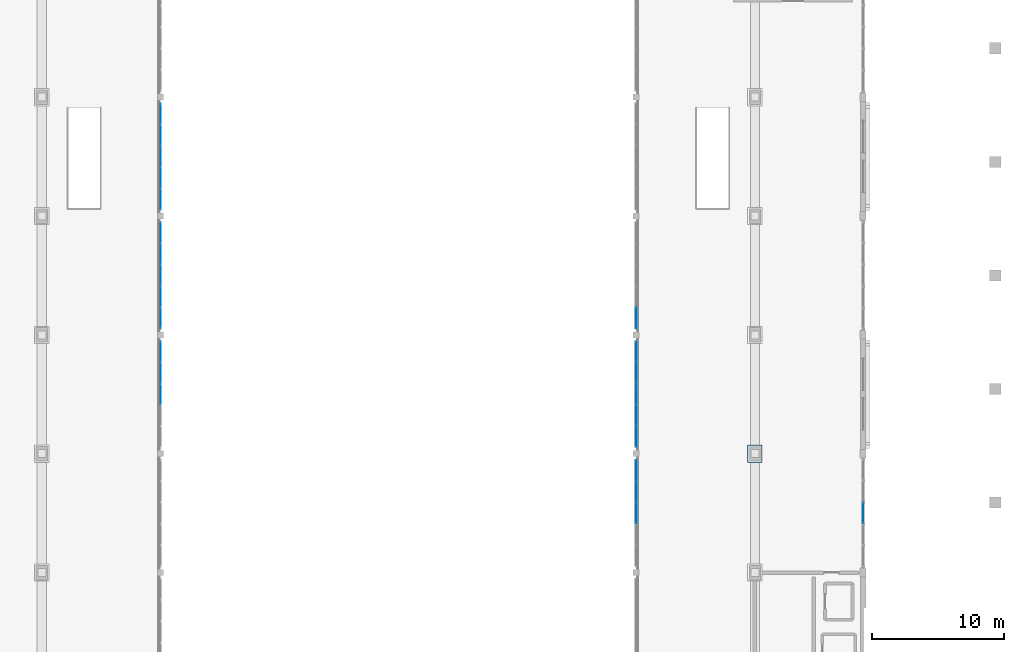
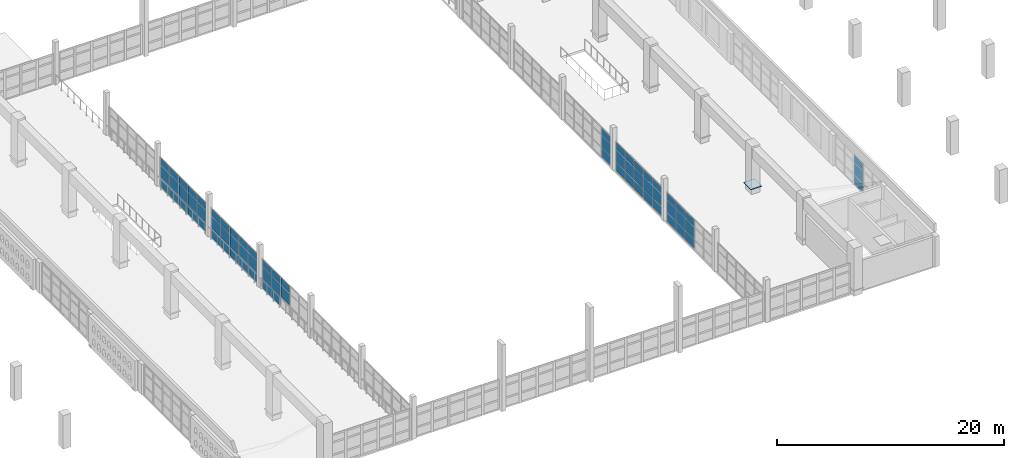
# One storey, part 58 of 80: 69 plates, 7 elements without a shape of their own.
"""IFC4 building model written with IfcOpenShell, lengths in metres."""

from ifc_helpers import new_model, si_unit, direction, frame, origin, origin_2d, place, context, subcontext, project, spatial, rectangle, extrude, material, layer, layer_set, type_object, element, aggregate, save


model = new_model("IFC4")

# Units and contexts
model_context = context("Model", 3, precision=1e-05, world=origin(), true_north=direction((0.0, 1.0)))
body_context = subcontext(model_context, "Body", "Model", "MODEL_VIEW")
ifc_project = project(units=[si_unit("LENGTHUNIT", "METRE"), si_unit("AREAUNIT", "SQUARE_METRE"), si_unit("VOLUMEUNIT", "CUBIC_METRE"), si_unit("PLANEANGLEUNIT", "RADIAN"), si_unit("MASSUNIT", "GRAM", prefix="KILO")], contexts=[model_context])

# Site, building, storey
site_placement = place(None, origin())
site = spatial("IfcSite", under=ifc_project, at=site_placement, CompositionType="ELEMENT")
building_placement = place(site_placement, origin())
building = spatial("IfcBuilding", under=site, at=building_placement, Name="Ornek Quay Market", CompositionType="ELEMENT")
storey_placement = place(building_placement, frame((0.0, 0.0, 8.39990234375)))
storey = spatial("IfcBuildingStorey", under=building, at=storey_placement, Name="L02", CompositionType="ELEMENT", Elevation=8.39990234375)

# Plate
ifc_material_1 = material(Name="Steel S355", Category="steel")
ifc_layer_1 = layer(ifc_material_1, 1.300048828125, Name="Steel S355", Category="steel")
ifc_layer_set_1 = layer_set([ifc_layer_1], Name="Steel S355")
plate_type_1 = type_object("IfcPlateType", Name="PL-ARCH-SHOE-1100x1300x50", PredefinedType="SHEET", material=ifc_layer_set_1)
plate_1_placement = place(storey_placement, frame((117.0, 47.0, 0.60009765625), z_axis=(0.0, 0.0, 1.0), x_axis=(1.0, 0.0, 0.0)))
element("IfcPlate", 1, at=plate_1_placement, inside=storey, type_object=plate_type_1, Name="Arch bearing plate Grid F-E", PredefinedType="SHEET", context=body_context, shape_type="SweptSolid", body=[
    extrude(rectangle(XDim=1.10009765625, YDim=1.300048828125, at=origin_2d()), origin(), (0.0, 0.0, 1.0), 0.050048828125),
])

# Curtain wall, plates
ifc_material_2 = material(Name="Anodised bronze aluminium and triple low-e glass", Category="aluminium")
ifc_layer_2 = layer(ifc_material_2, 0.139892578125, Name="Anodised bronze aluminium and triple low-e glass", Category="aluminium")
ifc_layer_set_2 = layer_set([ifc_layer_2], Name="Anodised bronze aluminium and triple low-e glass")
curtain_wall_type_1 = type_object("IfcCurtainWallType", Name="CW-GALLERY-INT", PredefinedType="USERDEFINED", material=ifc_layer_set_2)
curtain_wall_1_placement = place(storey_placement, origin())
curtain_wall_1 = element("IfcCurtainWall", 2, at=curtain_wall_1_placement, inside=storey, type_object=curtain_wall_type_1, Name="Curtain wall CW-111", ObjectType="CURTAIN WALL", PredefinedType="USERDEFINED")
ifc_material_3 = material(Name="Toughened laminated acoustic glass", Category="glass")
ifc_layer_3 = layer(ifc_material_3, 0.01611328125, Name="Toughened laminated acoustic glass", Category="glass")
ifc_layer_set_3 = layer_set([ifc_layer_3], Name="Toughened laminated acoustic glass")
plate_type_2 = type_object("IfcPlateType", Name="PL-CW-INT-16", PredefinedType="CURTAIN_PANEL", material=ifc_layer_set_3)
plate_2_placement = place(storey_placement, frame((72.0, 51.5, 1.080078125), z_axis=(0.0, 0.0, 1.0), x_axis=(0.0, 1.0, 0.0)))
plate_2 = element("IfcPlate", 3, at=plate_2_placement, type_object=plate_type_2, Name="CW-111 panel 3.2", PredefinedType="CURTAIN_PANEL", context=body_context, shape_type="SweptSolid", body=[
    extrude(rectangle(XDim=1.56005859375, YDim=0.01611328125, at=origin_2d()), origin(), (0.0, 0.0, 1.0), 1.2900390625),
])
plate_3_placement = place(storey_placement, frame((72.0, 51.5, 2.43017578125), z_axis=(0.0, 0.0, 1.0), x_axis=(0.0, 1.0, 0.0)))
plate_3 = element("IfcPlate", 4, at=plate_3_placement, type_object=plate_type_2, Name="CW-111 panel 3.3", PredefinedType="CURTAIN_PANEL", context=body_context, shape_type="SweptSolid", body=[
    extrude(rectangle(XDim=1.56005859375, YDim=0.01611328125, at=origin_2d()), origin(), (0.0, 0.0, 1.0), 0.760009765625),
])
plate_4_placement = place(storey_placement, frame((72.0, 53.1201171875, 0.06005859375), z_axis=(0.0, 0.0, 1.0), x_axis=(0.0, 1.0, 0.0)))
plate_4 = element("IfcPlate", 5, at=plate_4_placement, type_object=plate_type_2, Name="CW-111 panel 4.1", PredefinedType="CURTAIN_PANEL", context=body_context, shape_type="SweptSolid", body=[
    extrude(rectangle(XDim=1.56005859375, YDim=0.01611328125, at=origin_2d()), origin(), (0.0, 0.0, 1.0), 0.9599609375),
])
plate_5_placement = place(storey_placement, frame((72.0, 53.1201171875, 1.080078125), z_axis=(0.0, 0.0, 1.0), x_axis=(0.0, 1.0, 0.0)))
plate_5 = element("IfcPlate", 6, at=plate_5_placement, type_object=plate_type_2, Name="CW-111 panel 4.2", PredefinedType="CURTAIN_PANEL", context=body_context, shape_type="SweptSolid", body=[
    extrude(rectangle(XDim=1.56005859375, YDim=0.01611328125, at=origin_2d()), origin(), (0.0, 0.0, 1.0), 1.2900390625),
])
plate_6_placement = place(storey_placement, frame((72.0, 53.1201171875, 2.43017578125), z_axis=(0.0, 0.0, 1.0), x_axis=(0.0, 1.0, 0.0)))
plate_6 = element("IfcPlate", 7, at=plate_6_placement, type_object=plate_type_2, Name="CW-111 panel 4.3", PredefinedType="CURTAIN_PANEL", context=body_context, shape_type="SweptSolid", body=[
    extrude(rectangle(XDim=1.56005859375, YDim=0.01611328125, at=origin_2d()), origin(), (0.0, 0.0, 1.0), 0.760009765625),
])
plate_7_placement = place(storey_placement, frame((72.0, 54.72509765625, 0.06005859375), z_axis=(0.0, 0.0, 1.0), x_axis=(0.0, 1.0, 0.0)))
plate_7 = element("IfcPlate", 8, at=plate_7_placement, type_object=plate_type_2, Name="CW-111 panel 5.1", PredefinedType="CURTAIN_PANEL", context=body_context, shape_type="SweptSolid", body=[
    extrude(rectangle(XDim=1.530029296875, YDim=0.01611328125, at=origin_2d()), origin(), (0.0, 0.0, 1.0), 0.9599609375),
])
plate_8_placement = place(storey_placement, frame((72.0, 54.72509765625, 1.080078125), z_axis=(0.0, 0.0, 1.0), x_axis=(0.0, 1.0, 0.0)))
plate_8 = element("IfcPlate", 9, at=plate_8_placement, type_object=plate_type_2, Name="CW-111 panel 5.2", PredefinedType="CURTAIN_PANEL", context=body_context, shape_type="SweptSolid", body=[
    extrude(rectangle(XDim=1.530029296875, YDim=0.01611328125, at=origin_2d()), origin(), (0.0, 0.0, 1.0), 1.2900390625),
])
plate_9_placement = place(storey_placement, frame((72.0, 54.72509765625, 2.43017578125), z_axis=(0.0, 0.0, 1.0), x_axis=(0.0, 1.0, 0.0)))
plate_9 = element("IfcPlate", 10, at=plate_9_placement, type_object=plate_type_2, Name="CW-111 panel 5.3", PredefinedType="CURTAIN_PANEL", context=body_context, shape_type="SweptSolid", body=[
    extrude(rectangle(XDim=1.530029296875, YDim=0.01611328125, at=origin_2d()), origin(), (0.0, 0.0, 1.0), 0.760009765625),
])
aggregate(curtain_wall_1, [plate_2, plate_3, plate_4, plate_5, plate_6, plate_7, plate_8, plate_9])

curtain_wall_2_placement = place(storey_placement, origin())
curtain_wall_2 = element("IfcCurtainWall", 11, at=curtain_wall_2_placement, inside=storey, type_object=curtain_wall_type_1, Name="Curtain wall CW-112", ObjectType="CURTAIN WALL", PredefinedType="USERDEFINED")
plate_10_placement = place(storey_placement, frame((72.0, 57.27490234375, 0.06005859375), z_axis=(0.0, 0.0, 1.0), x_axis=(0.0, 1.0, 0.0)))
plate_10 = element("IfcPlate", 12, at=plate_10_placement, type_object=plate_type_2, Name="CW-112 panel 1.1", PredefinedType="CURTAIN_PANEL", context=body_context, shape_type="SweptSolid", body=[
    extrude(rectangle(XDim=1.530029296875, YDim=0.01611328125, at=origin_2d()), origin(), (0.0, 0.0, 1.0), 0.9599609375),
])
plate_11_placement = place(storey_placement, frame((72.0, 57.27490234375, 1.080078125), z_axis=(0.0, 0.0, 1.0), x_axis=(0.0, 1.0, 0.0)))
plate_11 = element("IfcPlate", 13, at=plate_11_placement, type_object=plate_type_2, Name="CW-112 panel 1.2", PredefinedType="CURTAIN_PANEL", context=body_context, shape_type="SweptSolid", body=[
    extrude(rectangle(XDim=1.530029296875, YDim=0.01611328125, at=origin_2d()), origin(), (0.0, 0.0, 1.0), 1.2900390625),
])
plate_12_placement = place(storey_placement, frame((72.0, 57.27490234375, 2.43017578125), z_axis=(0.0, 0.0, 1.0), x_axis=(0.0, 1.0, 0.0)))
plate_12 = element("IfcPlate", 14, at=plate_12_placement, type_object=plate_type_2, Name="CW-112 panel 1.3", PredefinedType="CURTAIN_PANEL", context=body_context, shape_type="SweptSolid", body=[
    extrude(rectangle(XDim=1.530029296875, YDim=0.01611328125, at=origin_2d()), origin(), (0.0, 0.0, 1.0), 0.760009765625),
])
plate_13_placement = place(storey_placement, frame((72.0, 58.8798828125, 0.06005859375), z_axis=(0.0, 0.0, 1.0), x_axis=(0.0, 1.0, 0.0)))
plate_13 = element("IfcPlate", 15, at=plate_13_placement, type_object=plate_type_2, Name="CW-112 panel 2.1", PredefinedType="CURTAIN_PANEL", context=body_context, shape_type="SweptSolid", body=[
    extrude(rectangle(XDim=1.56005859375, YDim=0.01611328125, at=origin_2d()), origin(), (0.0, 0.0, 1.0), 0.9599609375),
])
plate_14_placement = place(storey_placement, frame((72.0, 58.8798828125, 1.080078125), z_axis=(0.0, 0.0, 1.0), x_axis=(0.0, 1.0, 0.0)))
plate_14 = element("IfcPlate", 16, at=plate_14_placement, type_object=plate_type_2, Name="CW-112 panel 2.2", PredefinedType="CURTAIN_PANEL", context=body_context, shape_type="SweptSolid", body=[
    extrude(rectangle(XDim=1.56005859375, YDim=0.01611328125, at=origin_2d()), origin(), (0.0, 0.0, 1.0), 1.2900390625),
])
plate_15_placement = place(storey_placement, frame((72.0, 58.8798828125, 2.43017578125), z_axis=(0.0, 0.0, 1.0), x_axis=(0.0, 1.0, 0.0)))
plate_15 = element("IfcPlate", 17, at=plate_15_placement, type_object=plate_type_2, Name="CW-112 panel 2.3", PredefinedType="CURTAIN_PANEL", context=body_context, shape_type="SweptSolid", body=[
    extrude(rectangle(XDim=1.56005859375, YDim=0.01611328125, at=origin_2d()), origin(), (0.0, 0.0, 1.0), 0.760009765625),
])
plate_16_placement = place(storey_placement, frame((72.0, 60.5, 0.06005859375), z_axis=(0.0, 0.0, 1.0), x_axis=(0.0, 1.0, 0.0)))
plate_16 = element("IfcPlate", 18, at=plate_16_placement, type_object=plate_type_2, Name="CW-112 panel 3.1", PredefinedType="CURTAIN_PANEL", context=body_context, shape_type="SweptSolid", body=[
    extrude(rectangle(XDim=1.56005859375, YDim=0.01611328125, at=origin_2d()), origin(), (0.0, 0.0, 1.0), 0.9599609375),
])
plate_17_placement = place(storey_placement, frame((72.0, 60.5, 1.080078125), z_axis=(0.0, 0.0, 1.0), x_axis=(0.0, 1.0, 0.0)))
plate_17 = element("IfcPlate", 19, at=plate_17_placement, type_object=plate_type_2, Name="CW-112 panel 3.2", PredefinedType="CURTAIN_PANEL", context=body_context, shape_type="SweptSolid", body=[
    extrude(rectangle(XDim=1.56005859375, YDim=0.01611328125, at=origin_2d()), origin(), (0.0, 0.0, 1.0), 1.2900390625),
])
plate_18_placement = place(storey_placement, frame((72.0, 60.5, 2.43017578125), z_axis=(0.0, 0.0, 1.0), x_axis=(0.0, 1.0, 0.0)))
plate_18 = element("IfcPlate", 20, at=plate_18_placement, type_object=plate_type_2, Name="CW-112 panel 3.3", PredefinedType="CURTAIN_PANEL", context=body_context, shape_type="SweptSolid", body=[
    extrude(rectangle(XDim=1.56005859375, YDim=0.01611328125, at=origin_2d()), origin(), (0.0, 0.0, 1.0), 0.760009765625),
])
plate_19_placement = place(storey_placement, frame((72.0, 62.1201171875, 0.06005859375), z_axis=(0.0, 0.0, 1.0), x_axis=(0.0, 1.0, 0.0)))
plate_19 = element("IfcPlate", 21, at=plate_19_placement, type_object=plate_type_2, Name="CW-112 panel 4.1", PredefinedType="CURTAIN_PANEL", context=body_context, shape_type="SweptSolid", body=[
    extrude(rectangle(XDim=1.56005859375, YDim=0.01611328125, at=origin_2d()), origin(), (0.0, 0.0, 1.0), 0.9599609375),
])
plate_20_placement = place(storey_placement, frame((72.0, 62.1201171875, 1.080078125), z_axis=(0.0, 0.0, 1.0), x_axis=(0.0, 1.0, 0.0)))
plate_20 = element("IfcPlate", 22, at=plate_20_placement, type_object=plate_type_2, Name="CW-112 panel 4.2", PredefinedType="CURTAIN_PANEL", context=body_context, shape_type="SweptSolid", body=[
    extrude(rectangle(XDim=1.56005859375, YDim=0.01611328125, at=origin_2d()), origin(), (0.0, 0.0, 1.0), 1.2900390625),
])
plate_21_placement = place(storey_placement, frame((72.0, 62.1201171875, 2.43017578125), z_axis=(0.0, 0.0, 1.0), x_axis=(0.0, 1.0, 0.0)))
plate_21 = element("IfcPlate", 23, at=plate_21_placement, type_object=plate_type_2, Name="CW-112 panel 4.3", PredefinedType="CURTAIN_PANEL", context=body_context, shape_type="SweptSolid", body=[
    extrude(rectangle(XDim=1.56005859375, YDim=0.01611328125, at=origin_2d()), origin(), (0.0, 0.0, 1.0), 0.760009765625),
])
plate_22_placement = place(storey_placement, frame((72.0, 63.72509765625, 0.06005859375), z_axis=(0.0, 0.0, 1.0), x_axis=(0.0, 1.0, 0.0)))
plate_22 = element("IfcPlate", 24, at=plate_22_placement, type_object=plate_type_2, Name="CW-112 panel 5.1", PredefinedType="CURTAIN_PANEL", context=body_context, shape_type="SweptSolid", body=[
    extrude(rectangle(XDim=1.530029296875, YDim=0.01611328125, at=origin_2d()), origin(), (0.0, 0.0, 1.0), 0.9599609375),
])
plate_23_placement = place(storey_placement, frame((72.0, 63.72509765625, 1.080078125), z_axis=(0.0, 0.0, 1.0), x_axis=(0.0, 1.0, 0.0)))
plate_23 = element("IfcPlate", 25, at=plate_23_placement, type_object=plate_type_2, Name="CW-112 panel 5.2", PredefinedType="CURTAIN_PANEL", context=body_context, shape_type="SweptSolid", body=[
    extrude(rectangle(XDim=1.530029296875, YDim=0.01611328125, at=origin_2d()), origin(), (0.0, 0.0, 1.0), 1.2900390625),
])
plate_24_placement = place(storey_placement, frame((72.0, 63.72509765625, 2.43017578125), z_axis=(0.0, 0.0, 1.0), x_axis=(0.0, 1.0, 0.0)))
plate_24 = element("IfcPlate", 26, at=plate_24_placement, type_object=plate_type_2, Name="CW-112 panel 5.3", PredefinedType="CURTAIN_PANEL", context=body_context, shape_type="SweptSolid", body=[
    extrude(rectangle(XDim=1.530029296875, YDim=0.01611328125, at=origin_2d()), origin(), (0.0, 0.0, 1.0), 0.760009765625),
])
aggregate(curtain_wall_2, [plate_10, plate_11, plate_12, plate_13, plate_14, plate_15, plate_16, plate_17, plate_18, plate_19, plate_20, plate_21, plate_22, plate_23, plate_24])

curtain_wall_3_placement = place(storey_placement, origin())
curtain_wall_3 = element("IfcCurtainWall", 27, at=curtain_wall_3_placement, inside=storey, type_object=curtain_wall_type_1, Name="Curtain wall CW-113", ObjectType="CURTAIN WALL", PredefinedType="USERDEFINED")
plate_25_placement = place(storey_placement, frame((72.0, 66.27490234375, 0.06005859375), z_axis=(0.0, 0.0, 1.0), x_axis=(0.0, 1.0, 0.0)))
plate_25 = element("IfcPlate", 28, at=plate_25_placement, type_object=plate_type_2, Name="CW-113 panel 1.1", PredefinedType="CURTAIN_PANEL", context=body_context, shape_type="SweptSolid", body=[
    extrude(rectangle(XDim=1.530029296875, YDim=0.01611328125, at=origin_2d()), origin(), (0.0, 0.0, 1.0), 0.9599609375),
])
plate_26_placement = place(storey_placement, frame((72.0, 66.27490234375, 1.080078125), z_axis=(0.0, 0.0, 1.0), x_axis=(0.0, 1.0, 0.0)))
plate_26 = element("IfcPlate", 29, at=plate_26_placement, type_object=plate_type_2, Name="CW-113 panel 1.2", PredefinedType="CURTAIN_PANEL", context=body_context, shape_type="SweptSolid", body=[
    extrude(rectangle(XDim=1.530029296875, YDim=0.01611328125, at=origin_2d()), origin(), (0.0, 0.0, 1.0), 1.2900390625),
])
plate_27_placement = place(storey_placement, frame((72.0, 66.27490234375, 2.43017578125), z_axis=(0.0, 0.0, 1.0), x_axis=(0.0, 1.0, 0.0)))
plate_27 = element("IfcPlate", 30, at=plate_27_placement, type_object=plate_type_2, Name="CW-113 panel 1.3", PredefinedType="CURTAIN_PANEL", context=body_context, shape_type="SweptSolid", body=[
    extrude(rectangle(XDim=1.530029296875, YDim=0.01611328125, at=origin_2d()), origin(), (0.0, 0.0, 1.0), 0.760009765625),
])
plate_28_placement = place(storey_placement, frame((72.0, 67.8798828125, 0.06005859375), z_axis=(0.0, 0.0, 1.0), x_axis=(0.0, 1.0, 0.0)))
plate_28 = element("IfcPlate", 31, at=plate_28_placement, type_object=plate_type_2, Name="CW-113 panel 2.1", PredefinedType="CURTAIN_PANEL", context=body_context, shape_type="SweptSolid", body=[
    extrude(rectangle(XDim=1.56005859375, YDim=0.01611328125, at=origin_2d()), origin(), (0.0, 0.0, 1.0), 0.9599609375),
])
plate_29_placement = place(storey_placement, frame((72.0, 67.8798828125, 1.080078125), z_axis=(0.0, 0.0, 1.0), x_axis=(0.0, 1.0, 0.0)))
plate_29 = element("IfcPlate", 32, at=plate_29_placement, type_object=plate_type_2, Name="CW-113 panel 2.2", PredefinedType="CURTAIN_PANEL", context=body_context, shape_type="SweptSolid", body=[
    extrude(rectangle(XDim=1.56005859375, YDim=0.01611328125, at=origin_2d()), origin(), (0.0, 0.0, 1.0), 1.2900390625),
])
plate_30_placement = place(storey_placement, frame((72.0, 67.8798828125, 2.43017578125), z_axis=(0.0, 0.0, 1.0), x_axis=(0.0, 1.0, 0.0)))
plate_30 = element("IfcPlate", 33, at=plate_30_placement, type_object=plate_type_2, Name="CW-113 panel 2.3", PredefinedType="CURTAIN_PANEL", context=body_context, shape_type="SweptSolid", body=[
    extrude(rectangle(XDim=1.56005859375, YDim=0.01611328125, at=origin_2d()), origin(), (0.0, 0.0, 1.0), 0.760009765625),
])
plate_31_placement = place(storey_placement, frame((72.0, 69.5, 0.06005859375), z_axis=(0.0, 0.0, 1.0), x_axis=(0.0, 1.0, 0.0)))
plate_31 = element("IfcPlate", 34, at=plate_31_placement, type_object=plate_type_2, Name="CW-113 panel 3.1", PredefinedType="CURTAIN_PANEL", context=body_context, shape_type="SweptSolid", body=[
    extrude(rectangle(XDim=1.56005859375, YDim=0.01611328125, at=origin_2d()), origin(), (0.0, 0.0, 1.0), 0.9599609375),
])
plate_32_placement = place(storey_placement, frame((72.0, 69.5, 1.080078125), z_axis=(0.0, 0.0, 1.0), x_axis=(0.0, 1.0, 0.0)))
plate_32 = element("IfcPlate", 35, at=plate_32_placement, type_object=plate_type_2, Name="CW-113 panel 3.2", PredefinedType="CURTAIN_PANEL", context=body_context, shape_type="SweptSolid", body=[
    extrude(rectangle(XDim=1.56005859375, YDim=0.01611328125, at=origin_2d()), origin(), (0.0, 0.0, 1.0), 1.2900390625),
])
plate_33_placement = place(storey_placement, frame((72.0, 69.5, 2.43017578125), z_axis=(0.0, 0.0, 1.0), x_axis=(0.0, 1.0, 0.0)))
plate_33 = element("IfcPlate", 36, at=plate_33_placement, type_object=plate_type_2, Name="CW-113 panel 3.3", PredefinedType="CURTAIN_PANEL", context=body_context, shape_type="SweptSolid", body=[
    extrude(rectangle(XDim=1.56005859375, YDim=0.01611328125, at=origin_2d()), origin(), (0.0, 0.0, 1.0), 0.760009765625),
])
plate_34_placement = place(storey_placement, frame((72.0, 71.1201171875, 0.06005859375), z_axis=(0.0, 0.0, 1.0), x_axis=(0.0, 1.0, 0.0)))
plate_34 = element("IfcPlate", 37, at=plate_34_placement, type_object=plate_type_2, Name="CW-113 panel 4.1", PredefinedType="CURTAIN_PANEL", context=body_context, shape_type="SweptSolid", body=[
    extrude(rectangle(XDim=1.56005859375, YDim=0.01611328125, at=origin_2d()), origin(), (0.0, 0.0, 1.0), 0.9599609375),
])
plate_35_placement = place(storey_placement, frame((72.0, 71.1201171875, 1.080078125), z_axis=(0.0, 0.0, 1.0), x_axis=(0.0, 1.0, 0.0)))
plate_35 = element("IfcPlate", 38, at=plate_35_placement, type_object=plate_type_2, Name="CW-113 panel 4.2", PredefinedType="CURTAIN_PANEL", context=body_context, shape_type="SweptSolid", body=[
    extrude(rectangle(XDim=1.56005859375, YDim=0.01611328125, at=origin_2d()), origin(), (0.0, 0.0, 1.0), 1.2900390625),
])
plate_36_placement = place(storey_placement, frame((72.0, 71.1201171875, 2.43017578125), z_axis=(0.0, 0.0, 1.0), x_axis=(0.0, 1.0, 0.0)))
plate_36 = element("IfcPlate", 39, at=plate_36_placement, type_object=plate_type_2, Name="CW-113 panel 4.3", PredefinedType="CURTAIN_PANEL", context=body_context, shape_type="SweptSolid", body=[
    extrude(rectangle(XDim=1.56005859375, YDim=0.01611328125, at=origin_2d()), origin(), (0.0, 0.0, 1.0), 0.760009765625),
])
plate_37_placement = place(storey_placement, frame((72.0, 72.72509765625, 0.06005859375), z_axis=(0.0, 0.0, 1.0), x_axis=(0.0, 1.0, 0.0)))
plate_37 = element("IfcPlate", 40, at=plate_37_placement, type_object=plate_type_2, Name="CW-113 panel 5.1", PredefinedType="CURTAIN_PANEL", context=body_context, shape_type="SweptSolid", body=[
    extrude(rectangle(XDim=1.530029296875, YDim=0.01611328125, at=origin_2d()), origin(), (0.0, 0.0, 1.0), 0.9599609375),
])
plate_38_placement = place(storey_placement, frame((72.0, 72.72509765625, 1.080078125), z_axis=(0.0, 0.0, 1.0), x_axis=(0.0, 1.0, 0.0)))
plate_38 = element("IfcPlate", 41, at=plate_38_placement, type_object=plate_type_2, Name="CW-113 panel 5.2", PredefinedType="CURTAIN_PANEL", context=body_context, shape_type="SweptSolid", body=[
    extrude(rectangle(XDim=1.530029296875, YDim=0.01611328125, at=origin_2d()), origin(), (0.0, 0.0, 1.0), 1.2900390625),
])
plate_39_placement = place(storey_placement, frame((72.0, 72.72509765625, 2.43017578125), z_axis=(0.0, 0.0, 1.0), x_axis=(0.0, 1.0, 0.0)))
plate_39 = element("IfcPlate", 42, at=plate_39_placement, type_object=plate_type_2, Name="CW-113 panel 5.3", PredefinedType="CURTAIN_PANEL", context=body_context, shape_type="SweptSolid", body=[
    extrude(rectangle(XDim=1.530029296875, YDim=0.01611328125, at=origin_2d()), origin(), (0.0, 0.0, 1.0), 0.760009765625),
])
aggregate(curtain_wall_3, [plate_25, plate_26, plate_27, plate_28, plate_29, plate_30, plate_31, plate_32, plate_33, plate_34, plate_35, plate_36, plate_37, plate_38, plate_39])

curtain_wall_4_placement = place(storey_placement, origin())
curtain_wall_4 = element("IfcCurtainWall", 43, at=curtain_wall_4_placement, inside=storey, type_object=curtain_wall_type_1, Name="Curtain wall CW-116", ObjectType="CURTAIN WALL", PredefinedType="USERDEFINED")
plate_40_placement = place(storey_placement, frame((108.0, 42.5, 0.06005859375), z_axis=(0.0, 0.0, 1.0), x_axis=(0.0, 1.0, 0.0)))
plate_40 = element("IfcPlate", 44, at=plate_40_placement, type_object=plate_type_2, Name="CW-116 panel 3.1", PredefinedType="CURTAIN_PANEL", context=body_context, shape_type="SweptSolid", body=[
    extrude(rectangle(XDim=1.56005859375, YDim=0.01611328125, at=origin_2d()), origin(), (0.0, 0.0, 1.0), 0.9599609375),
])
plate_41_placement = place(storey_placement, frame((108.0, 42.5, 1.080078125), z_axis=(0.0, 0.0, 1.0), x_axis=(0.0, 1.0, 0.0)))
plate_41 = element("IfcPlate", 45, at=plate_41_placement, type_object=plate_type_2, Name="CW-116 panel 3.2", PredefinedType="CURTAIN_PANEL", context=body_context, shape_type="SweptSolid", body=[
    extrude(rectangle(XDim=1.56005859375, YDim=0.01611328125, at=origin_2d()), origin(), (0.0, 0.0, 1.0), 1.2900390625),
])
plate_42_placement = place(storey_placement, frame((108.0, 42.5, 2.43017578125), z_axis=(0.0, 0.0, 1.0), x_axis=(0.0, 1.0, 0.0)))
plate_42 = element("IfcPlate", 46, at=plate_42_placement, type_object=plate_type_2, Name="CW-116 panel 3.3", PredefinedType="CURTAIN_PANEL", context=body_context, shape_type="SweptSolid", body=[
    extrude(rectangle(XDim=1.56005859375, YDim=0.01611328125, at=origin_2d()), origin(), (0.0, 0.0, 1.0), 0.760009765625),
])
plate_43_placement = place(storey_placement, frame((108.0, 44.1201171875, 0.06005859375), z_axis=(0.0, 0.0, 1.0), x_axis=(0.0, 1.0, 0.0)))
plate_43 = element("IfcPlate", 47, at=plate_43_placement, type_object=plate_type_2, Name="CW-116 panel 4.1", PredefinedType="CURTAIN_PANEL", context=body_context, shape_type="SweptSolid", body=[
    extrude(rectangle(XDim=1.56005859375, YDim=0.01611328125, at=origin_2d()), origin(), (0.0, 0.0, 1.0), 0.9599609375),
])
plate_44_placement = place(storey_placement, frame((108.0, 44.1201171875, 1.080078125), z_axis=(0.0, 0.0, 1.0), x_axis=(0.0, 1.0, 0.0)))
plate_44 = element("IfcPlate", 48, at=plate_44_placement, type_object=plate_type_2, Name="CW-116 panel 4.2", PredefinedType="CURTAIN_PANEL", context=body_context, shape_type="SweptSolid", body=[
    extrude(rectangle(XDim=1.56005859375, YDim=0.01611328125, at=origin_2d()), origin(), (0.0, 0.0, 1.0), 1.2900390625),
])
plate_45_placement = place(storey_placement, frame((108.0, 44.1201171875, 2.43017578125), z_axis=(0.0, 0.0, 1.0), x_axis=(0.0, 1.0, 0.0)))
plate_45 = element("IfcPlate", 49, at=plate_45_placement, type_object=plate_type_2, Name="CW-116 panel 4.3", PredefinedType="CURTAIN_PANEL", context=body_context, shape_type="SweptSolid", body=[
    extrude(rectangle(XDim=1.56005859375, YDim=0.01611328125, at=origin_2d()), origin(), (0.0, 0.0, 1.0), 0.760009765625),
])
plate_46_placement = place(storey_placement, frame((108.0, 45.72509765625, 0.06005859375), z_axis=(0.0, 0.0, 1.0), x_axis=(0.0, 1.0, 0.0)))
plate_46 = element("IfcPlate", 50, at=plate_46_placement, type_object=plate_type_2, Name="CW-116 panel 5.1", PredefinedType="CURTAIN_PANEL", context=body_context, shape_type="SweptSolid", body=[
    extrude(rectangle(XDim=1.530029296875, YDim=0.01611328125, at=origin_2d()), origin(), (0.0, 0.0, 1.0), 0.9599609375),
])
plate_47_placement = place(storey_placement, frame((108.0, 45.72509765625, 1.080078125), z_axis=(0.0, 0.0, 1.0), x_axis=(0.0, 1.0, 0.0)))
plate_47 = element("IfcPlate", 51, at=plate_47_placement, type_object=plate_type_2, Name="CW-116 panel 5.2", PredefinedType="CURTAIN_PANEL", context=body_context, shape_type="SweptSolid", body=[
    extrude(rectangle(XDim=1.530029296875, YDim=0.01611328125, at=origin_2d()), origin(), (0.0, 0.0, 1.0), 1.2900390625),
])
plate_48_placement = place(storey_placement, frame((108.0, 45.72509765625, 2.43017578125), z_axis=(0.0, 0.0, 1.0), x_axis=(0.0, 1.0, 0.0)))
plate_48 = element("IfcPlate", 52, at=plate_48_placement, type_object=plate_type_2, Name="CW-116 panel 5.3", PredefinedType="CURTAIN_PANEL", context=body_context, shape_type="SweptSolid", body=[
    extrude(rectangle(XDim=1.530029296875, YDim=0.01611328125, at=origin_2d()), origin(), (0.0, 0.0, 1.0), 0.760009765625),
])
aggregate(curtain_wall_4, [plate_40, plate_41, plate_42, plate_43, plate_44, plate_45, plate_46, plate_47, plate_48])

curtain_wall_5_placement = place(storey_placement, origin())
curtain_wall_5 = element("IfcCurtainWall", 53, at=curtain_wall_5_placement, inside=storey, type_object=curtain_wall_type_1, Name="Curtain wall CW-117", ObjectType="CURTAIN WALL", PredefinedType="USERDEFINED")
plate_49_placement = place(storey_placement, frame((108.0, 48.27490234375, 0.06005859375), z_axis=(0.0, 0.0, 1.0), x_axis=(0.0, 1.0, 0.0)))
plate_49 = element("IfcPlate", 54, at=plate_49_placement, type_object=plate_type_2, Name="CW-117 panel 1.1", PredefinedType="CURTAIN_PANEL", context=body_context, shape_type="SweptSolid", body=[
    extrude(rectangle(XDim=1.530029296875, YDim=0.01611328125, at=origin_2d()), origin(), (0.0, 0.0, 1.0), 0.9599609375),
])
plate_50_placement = place(storey_placement, frame((108.0, 48.27490234375, 1.080078125), z_axis=(0.0, 0.0, 1.0), x_axis=(0.0, 1.0, 0.0)))
plate_50 = element("IfcPlate", 55, at=plate_50_placement, type_object=plate_type_2, Name="CW-117 panel 1.2", PredefinedType="CURTAIN_PANEL", context=body_context, shape_type="SweptSolid", body=[
    extrude(rectangle(XDim=1.530029296875, YDim=0.01611328125, at=origin_2d()), origin(), (0.0, 0.0, 1.0), 1.2900390625),
])
plate_51_placement = place(storey_placement, frame((108.0, 48.27490234375, 2.43017578125), z_axis=(0.0, 0.0, 1.0), x_axis=(0.0, 1.0, 0.0)))
plate_51 = element("IfcPlate", 56, at=plate_51_placement, type_object=plate_type_2, Name="CW-117 panel 1.3", PredefinedType="CURTAIN_PANEL", context=body_context, shape_type="SweptSolid", body=[
    extrude(rectangle(XDim=1.530029296875, YDim=0.01611328125, at=origin_2d()), origin(), (0.0, 0.0, 1.0), 0.760009765625),
])
plate_52_placement = place(storey_placement, frame((108.0, 49.8798828125, 0.06005859375), z_axis=(0.0, 0.0, 1.0), x_axis=(0.0, 1.0, 0.0)))
plate_52 = element("IfcPlate", 57, at=plate_52_placement, type_object=plate_type_2, Name="CW-117 panel 2.1", PredefinedType="CURTAIN_PANEL", context=body_context, shape_type="SweptSolid", body=[
    extrude(rectangle(XDim=1.56005859375, YDim=0.01611328125, at=origin_2d()), origin(), (0.0, 0.0, 1.0), 0.9599609375),
])
plate_53_placement = place(storey_placement, frame((108.0, 49.8798828125, 1.080078125), z_axis=(0.0, 0.0, 1.0), x_axis=(0.0, 1.0, 0.0)))
plate_53 = element("IfcPlate", 58, at=plate_53_placement, type_object=plate_type_2, Name="CW-117 panel 2.2", PredefinedType="CURTAIN_PANEL", context=body_context, shape_type="SweptSolid", body=[
    extrude(rectangle(XDim=1.56005859375, YDim=0.01611328125, at=origin_2d()), origin(), (0.0, 0.0, 1.0), 1.2900390625),
])
plate_54_placement = place(storey_placement, frame((108.0, 49.8798828125, 2.43017578125), z_axis=(0.0, 0.0, 1.0), x_axis=(0.0, 1.0, 0.0)))
plate_54 = element("IfcPlate", 59, at=plate_54_placement, type_object=plate_type_2, Name="CW-117 panel 2.3", PredefinedType="CURTAIN_PANEL", context=body_context, shape_type="SweptSolid", body=[
    extrude(rectangle(XDim=1.56005859375, YDim=0.01611328125, at=origin_2d()), origin(), (0.0, 0.0, 1.0), 0.760009765625),
])
plate_55_placement = place(storey_placement, frame((108.0, 51.5, 0.06005859375), z_axis=(0.0, 0.0, 1.0), x_axis=(0.0, 1.0, 0.0)))
plate_55 = element("IfcPlate", 60, at=plate_55_placement, type_object=plate_type_2, Name="CW-117 panel 3.1", PredefinedType="CURTAIN_PANEL", context=body_context, shape_type="SweptSolid", body=[
    extrude(rectangle(XDim=1.56005859375, YDim=0.01611328125, at=origin_2d()), origin(), (0.0, 0.0, 1.0), 0.9599609375),
])
plate_56_placement = place(storey_placement, frame((108.0, 51.5, 1.080078125), z_axis=(0.0, 0.0, 1.0), x_axis=(0.0, 1.0, 0.0)))
plate_56 = element("IfcPlate", 61, at=plate_56_placement, type_object=plate_type_2, Name="CW-117 panel 3.2", PredefinedType="CURTAIN_PANEL", context=body_context, shape_type="SweptSolid", body=[
    extrude(rectangle(XDim=1.56005859375, YDim=0.01611328125, at=origin_2d()), origin(), (0.0, 0.0, 1.0), 1.2900390625),
])
plate_57_placement = place(storey_placement, frame((108.0, 51.5, 2.43017578125), z_axis=(0.0, 0.0, 1.0), x_axis=(0.0, 1.0, 0.0)))
plate_57 = element("IfcPlate", 62, at=plate_57_placement, type_object=plate_type_2, Name="CW-117 panel 3.3", PredefinedType="CURTAIN_PANEL", context=body_context, shape_type="SweptSolid", body=[
    extrude(rectangle(XDim=1.56005859375, YDim=0.01611328125, at=origin_2d()), origin(), (0.0, 0.0, 1.0), 0.760009765625),
])
plate_58_placement = place(storey_placement, frame((108.0, 53.1201171875, 0.06005859375), z_axis=(0.0, 0.0, 1.0), x_axis=(0.0, 1.0, 0.0)))
plate_58 = element("IfcPlate", 63, at=plate_58_placement, type_object=plate_type_2, Name="CW-117 panel 4.1", PredefinedType="CURTAIN_PANEL", context=body_context, shape_type="SweptSolid", body=[
    extrude(rectangle(XDim=1.56005859375, YDim=0.01611328125, at=origin_2d()), origin(), (0.0, 0.0, 1.0), 0.9599609375),
])
plate_59_placement = place(storey_placement, frame((108.0, 53.1201171875, 1.080078125), z_axis=(0.0, 0.0, 1.0), x_axis=(0.0, 1.0, 0.0)))
plate_59 = element("IfcPlate", 64, at=plate_59_placement, type_object=plate_type_2, Name="CW-117 panel 4.2", PredefinedType="CURTAIN_PANEL", context=body_context, shape_type="SweptSolid", body=[
    extrude(rectangle(XDim=1.56005859375, YDim=0.01611328125, at=origin_2d()), origin(), (0.0, 0.0, 1.0), 1.2900390625),
])
plate_60_placement = place(storey_placement, frame((108.0, 53.1201171875, 2.43017578125), z_axis=(0.0, 0.0, 1.0), x_axis=(0.0, 1.0, 0.0)))
plate_60 = element("IfcPlate", 65, at=plate_60_placement, type_object=plate_type_2, Name="CW-117 panel 4.3", PredefinedType="CURTAIN_PANEL", context=body_context, shape_type="SweptSolid", body=[
    extrude(rectangle(XDim=1.56005859375, YDim=0.01611328125, at=origin_2d()), origin(), (0.0, 0.0, 1.0), 0.760009765625),
])
plate_61_placement = place(storey_placement, frame((108.0, 54.72509765625, 0.06005859375), z_axis=(0.0, 0.0, 1.0), x_axis=(0.0, 1.0, 0.0)))
plate_61 = element("IfcPlate", 66, at=plate_61_placement, type_object=plate_type_2, Name="CW-117 panel 5.1", PredefinedType="CURTAIN_PANEL", context=body_context, shape_type="SweptSolid", body=[
    extrude(rectangle(XDim=1.530029296875, YDim=0.01611328125, at=origin_2d()), origin(), (0.0, 0.0, 1.0), 0.9599609375),
])
plate_62_placement = place(storey_placement, frame((108.0, 54.72509765625, 1.080078125), z_axis=(0.0, 0.0, 1.0), x_axis=(0.0, 1.0, 0.0)))
plate_62 = element("IfcPlate", 67, at=plate_62_placement, type_object=plate_type_2, Name="CW-117 panel 5.2", PredefinedType="CURTAIN_PANEL", context=body_context, shape_type="SweptSolid", body=[
    extrude(rectangle(XDim=1.530029296875, YDim=0.01611328125, at=origin_2d()), origin(), (0.0, 0.0, 1.0), 1.2900390625),
])
plate_63_placement = place(storey_placement, frame((108.0, 54.72509765625, 2.43017578125), z_axis=(0.0, 0.0, 1.0), x_axis=(0.0, 1.0, 0.0)))
plate_63 = element("IfcPlate", 68, at=plate_63_placement, type_object=plate_type_2, Name="CW-117 panel 5.3", PredefinedType="CURTAIN_PANEL", context=body_context, shape_type="SweptSolid", body=[
    extrude(rectangle(XDim=1.530029296875, YDim=0.01611328125, at=origin_2d()), origin(), (0.0, 0.0, 1.0), 0.760009765625),
])
aggregate(curtain_wall_5, [plate_49, plate_50, plate_51, plate_52, plate_53, plate_54, plate_55, plate_56, plate_57, plate_58, plate_59, plate_60, plate_61, plate_62, plate_63])

curtain_wall_6_placement = place(storey_placement, origin())
curtain_wall_6 = element("IfcCurtainWall", 69, at=curtain_wall_6_placement, inside=storey, type_object=curtain_wall_type_1, Name="Curtain wall CW-118", ObjectType="CURTAIN WALL", PredefinedType="USERDEFINED")
plate_64_placement = place(storey_placement, frame((108.0, 57.27490234375, 0.06005859375), z_axis=(0.0, 0.0, 1.0), x_axis=(0.0, 1.0, 0.0)))
plate_64 = element("IfcPlate", 70, at=plate_64_placement, type_object=plate_type_2, Name="CW-118 panel 1.1", PredefinedType="CURTAIN_PANEL", context=body_context, shape_type="SweptSolid", body=[
    extrude(rectangle(XDim=1.530029296875, YDim=0.01611328125, at=origin_2d()), origin(), (0.0, 0.0, 1.0), 0.9599609375),
])
plate_65_placement = place(storey_placement, frame((108.0, 57.27490234375, 1.080078125), z_axis=(0.0, 0.0, 1.0), x_axis=(0.0, 1.0, 0.0)))
plate_65 = element("IfcPlate", 71, at=plate_65_placement, type_object=plate_type_2, Name="CW-118 panel 1.2", PredefinedType="CURTAIN_PANEL", context=body_context, shape_type="SweptSolid", body=[
    extrude(rectangle(XDim=1.530029296875, YDim=0.01611328125, at=origin_2d()), origin(), (0.0, 0.0, 1.0), 1.2900390625),
])
plate_66_placement = place(storey_placement, frame((108.0, 57.27490234375, 2.43017578125), z_axis=(0.0, 0.0, 1.0), x_axis=(0.0, 1.0, 0.0)))
plate_66 = element("IfcPlate", 72, at=plate_66_placement, type_object=plate_type_2, Name="CW-118 panel 1.3", PredefinedType="CURTAIN_PANEL", context=body_context, shape_type="SweptSolid", body=[
    extrude(rectangle(XDim=1.530029296875, YDim=0.01611328125, at=origin_2d()), origin(), (0.0, 0.0, 1.0), 0.760009765625),
])
aggregate(curtain_wall_6, [plate_64, plate_65, plate_66])

ifc_layer_4 = layer(ifc_material_2, 0.239990234375, Name="Anodised bronze aluminium and triple low-e glass", Category="aluminium")
ifc_layer_set_4 = layer_set([ifc_layer_4], Name="Anodised bronze aluminium and triple low-e glass")
curtain_wall_type_2 = type_object("IfcCurtainWallType", Name="CW-GAB-MOD1800", PredefinedType="USERDEFINED", material=ifc_layer_set_4)
curtain_wall_7_placement = place(storey_placement, origin())
curtain_wall_7 = element("IfcCurtainWall", 73, at=curtain_wall_7_placement, inside=storey, type_object=curtain_wall_type_2, Name="Curtain wall CW-060", ObjectType="CURTAIN WALL", PredefinedType="USERDEFINED")
ifc_material_4 = material(Name="Triple insulated low-e glass", Category="glass")
ifc_layer_5 = layer(ifc_material_4, 0.0419921875, Name="Triple insulated low-e glass", Category="glass")
ifc_layer_set_5 = layer_set([ifc_layer_5], Name="Triple insulated low-e glass")
plate_type_3 = type_object("IfcPlateType", Name="PL-CW-TRIPLE-42", PredefinedType="CURTAIN_PANEL", material=ifc_layer_set_5)
plate_67_placement = place(storey_placement, frame((125.199951171875, 42.5, 0.06982421875), z_axis=(0.0, 0.0, 1.0), x_axis=(0.0, 1.0, 0.0)))
plate_67 = element("IfcPlate", 74, at=plate_67_placement, type_object=plate_type_3, Name="CW-060 panel 3.1", PredefinedType="CURTAIN_PANEL", context=body_context, shape_type="SweptSolid", body=[
    extrude(rectangle(XDim=1.570068359375, YDim=0.0419921875, at=origin_2d()), origin(), (0.0, 0.0, 1.0), 0.945068359375),
])
plate_68_placement = place(storey_placement, frame((125.199951171875, 42.5, 1.0849609375), z_axis=(0.0, 0.0, 1.0), x_axis=(0.0, 1.0, 0.0)))
plate_68 = element("IfcPlate", 75, at=plate_68_placement, type_object=plate_type_3, Name="CW-060 panel 3.2", PredefinedType="CURTAIN_PANEL", context=body_context, shape_type="SweptSolid", body=[
    extrude(rectangle(XDim=1.570068359375, YDim=0.0419921875, at=origin_2d()), origin(), (0.0, 0.0, 1.0), 1.320068359375),
])
plate_69_placement = place(storey_placement, frame((125.199951171875, 42.5, 2.47509765625), z_axis=(0.0, 0.0, 1.0), x_axis=(0.0, 1.0, 0.0)))
plate_69 = element("IfcPlate", 76, at=plate_69_placement, type_object=plate_type_3, Name="CW-060 panel 3.3", PredefinedType="CURTAIN_PANEL", context=body_context, shape_type="SweptSolid", body=[
    extrude(rectangle(XDim=1.570068359375, YDim=0.0419921875, at=origin_2d()), origin(), (0.0, 0.0, 1.0), 0.7451171875),
])
aggregate(curtain_wall_7, [plate_67, plate_68, plate_69])

save(model, "model.ifc")
